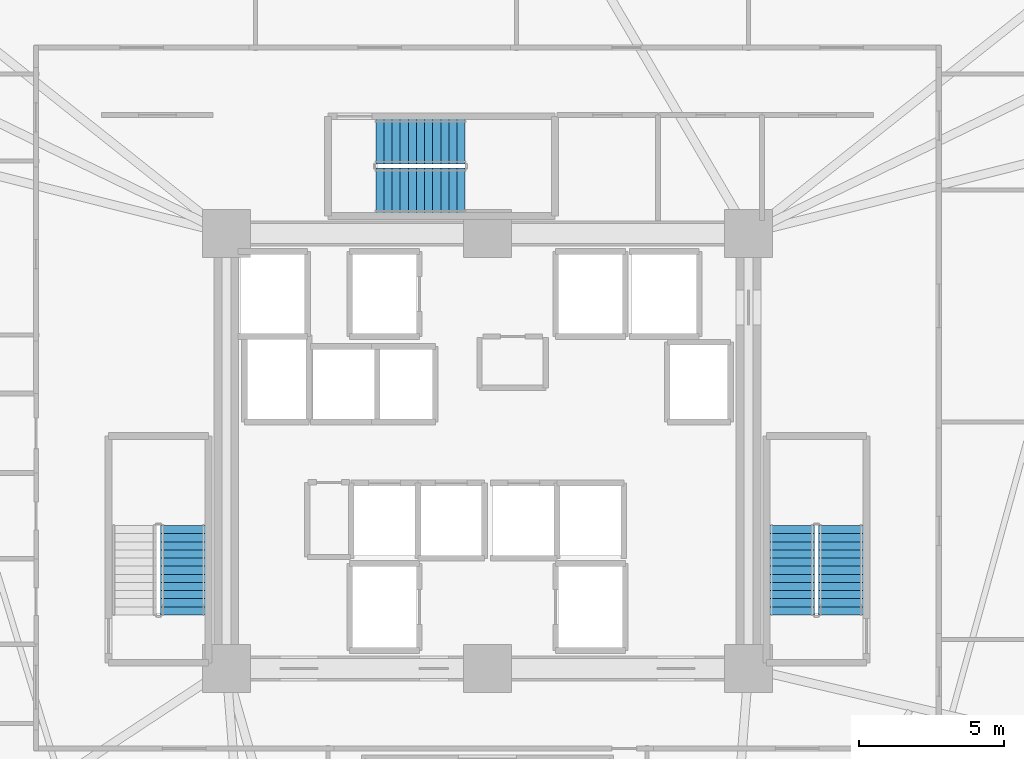
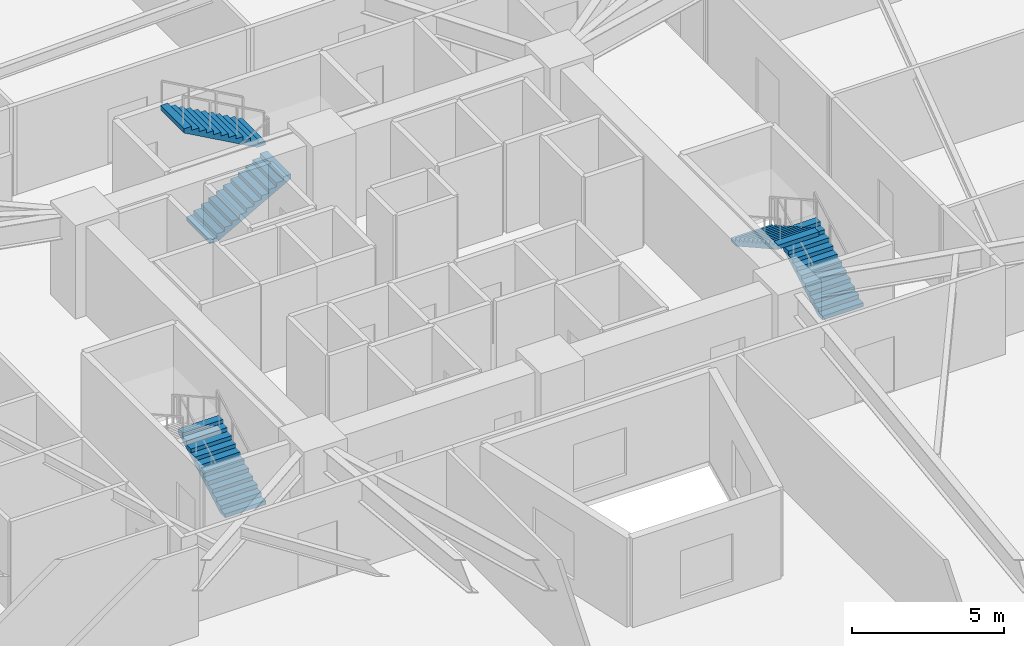
# One storey, part 8 of 9: 5 stair flights, 3 elements without a shape of their own.
"""IFC4 building model written with IfcOpenShell, lengths in metres."""

from ifc_helpers import new_model, si_unit, direction, frame, origin, place, context, subcontext, project, spatial, polyline, outline, extrude, material, type_object, element, aggregate, save


model = new_model("IFC4")

# Units and contexts
model_context = context("Model", 3, precision=1e-05, world=origin(), true_north=direction((0.0, 1.0)))
body_context = subcontext(model_context, "Body", "Model", "MODEL_VIEW")
ifc_project = project(units=[si_unit("LENGTHUNIT", "METRE"), si_unit("AREAUNIT", "SQUARE_METRE"), si_unit("VOLUMEUNIT", "CUBIC_METRE"), si_unit("PLANEANGLEUNIT", "RADIAN"), si_unit("MASSUNIT", "GRAM", prefix="KILO")], contexts=[model_context])

# Site, building, storey
site_placement = place(None, origin())
site = spatial("IfcSite", under=ifc_project, at=site_placement, CompositionType="ELEMENT")
building_placement = place(site_placement, origin())
building = spatial("IfcBuilding", under=site, at=building_placement, Name="Liaohun Quay Tower", CompositionType="ELEMENT")
storey_placement = place(building_placement, frame((0.0, 0.0, 55.5)))
storey = spatial("IfcBuildingStorey", under=building, at=storey_placement, Name="L14", CompositionType="ELEMENT", Elevation=55.5)

# Stair, stair flight
ifc_material = material(Name="Concrete C45", Category="concrete")
stair_type = type_object("IfcStairType", Name="STR-CORE-OFF", PredefinedType="HALF_TURN_STAIR", material=ifc_material)
stair_1_placement = place(storey_placement, origin())
stair_1 = element("IfcStair", 1, at=stair_1_placement, inside=storey, type_object=stair_type, Name="L14 Smokeproof Core Exit Stair ST-1", PredefinedType="HALF_TURN_STAIR")
stair_flight_type = type_object("IfcStairFlightType", Name="FLT-CORE-155", PredefinedType="STRAIGHT", material=ifc_material)
stair_flight_1_placement = place(storey_placement, frame((49.5048828125, 48.35009765625, 0.0), z_axis=(0.0, 0.0, 1.0), x_axis=(0.0, 1.0, 0.0)))
stair_flight_1 = element("IfcStairFlight", 2, at=stair_flight_1_placement, type_object=stair_flight_type, Name="ST-1 flight 1", NumberOfRisers=12, NumberOfTreads=11, PredefinedType="STRAIGHT", RiserHeight=0.15625, TreadLength=0.28, context=body_context, shape_type="SweptSolid", body=[
    extrude(outline(polyline([(0.0, 0.0), (0.0, 0.15625), (0.280029296875, 0.15625), (0.280029296875, 0.3125), (0.56005859375, 0.3125), (0.56005859375, 0.46875), (0.840087890625, 0.46875), (0.840087890625, 0.625), (1.1201171875, 0.625), (1.1201171875, 0.78125), (1.39990234375, 0.78125), (1.39990234375, 0.9375), (1.679931640625, 0.9375), (1.679931640625, 1.09375), (1.9599609375, 1.09375), (1.9599609375, 1.25), (2.239990234375, 1.25), (2.239990234375, 1.40625), (2.52001953125, 1.40625), (2.52001953125, 1.5625), (2.800048828125, 1.5625), (2.800048828125, 1.71875), (3.080078125, 1.71875), (3.080078125, 1.875), (3.080078125, 1.547119140625), (0.3076171875, 0.0), (0.0, 0.0)])), frame((0.0, 0.77490234375, 0.0), z_axis=(0.0, -1.0, 0.0), x_axis=(1.0, 0.0, 0.0)), (0.0, 0.0, 1.0), 1.550048828125),
])
aggregate(stair_1, [stair_flight_1])

# Stair, stair flights
stair_2_placement = place(storey_placement, origin())
stair_2 = element("IfcStair", 3, at=stair_2_placement, inside=storey, type_object=stair_type, Name="L14 Smokeproof Core Exit Stair ST-2", PredefinedType="HALF_TURN_STAIR")
stair_flight_2_placement = place(storey_placement, frame((72.18505859375, 48.35009765625, 0.0), z_axis=(0.0, 0.0, 1.0), x_axis=(0.0, 1.0, 0.0)))
stair_flight_2 = element("IfcStairFlight", 4, at=stair_flight_2_placement, type_object=stair_flight_type, Name="ST-2 flight 1", NumberOfRisers=12, NumberOfTreads=11, PredefinedType="STRAIGHT", RiserHeight=0.15625, TreadLength=0.28, context=body_context, shape_type="SweptSolid", body=[
    extrude(outline(polyline([(0.0, 0.0), (0.0, 0.15625), (0.280029296875, 0.15625), (0.280029296875, 0.3125), (0.56005859375, 0.3125), (0.56005859375, 0.46875), (0.840087890625, 0.46875), (0.840087890625, 0.625), (1.1201171875, 0.625), (1.1201171875, 0.78125), (1.39990234375, 0.78125), (1.39990234375, 0.9375), (1.679931640625, 0.9375), (1.679931640625, 1.09375), (1.9599609375, 1.09375), (1.9599609375, 1.25), (2.239990234375, 1.25), (2.239990234375, 1.40625), (2.52001953125, 1.40625), (2.52001953125, 1.5625), (2.800048828125, 1.5625), (2.800048828125, 1.71875), (3.080078125, 1.71875), (3.080078125, 1.875), (3.080078125, 1.547119140625), (0.3076171875, 0.0), (0.0, 0.0)])), frame((0.0, 0.77490234375, 0.0), z_axis=(0.0, -1.0, 0.0), x_axis=(1.0, 0.0, 0.0)), (0.0, 0.0, 1.0), 1.550048828125),
])
stair_flight_3_placement = place(storey_placement, frame((70.4951171875, 51.429931640625, 1.875), z_axis=(0.0, 0.0, 1.0), x_axis=(0.0, -1.0, 0.0)))
stair_flight_3 = element("IfcStairFlight", 5, at=stair_flight_3_placement, type_object=stair_flight_type, Name="ST-2 flight 2", NumberOfRisers=12, NumberOfTreads=11, PredefinedType="STRAIGHT", RiserHeight=0.15625, TreadLength=0.28, context=body_context, shape_type="SweptSolid", body=[
    extrude(outline(polyline([(0.0, 0.0), (0.0, 0.15625), (0.280029296875, 0.15625), (0.280029296875, 0.3125), (0.56005859375, 0.3125), (0.56005859375, 0.46875), (0.840087890625, 0.46875), (0.840087890625, 0.625), (1.1201171875, 0.625), (1.1201171875, 0.78125), (1.39990234375, 0.78125), (1.39990234375, 0.9375), (1.679931640625, 0.9375), (1.679931640625, 1.09375), (1.9599609375, 1.09375), (1.9599609375, 1.25), (2.239990234375, 1.25), (2.239990234375, 1.40625), (2.52001953125, 1.40625), (2.52001953125, 1.5625), (2.800048828125, 1.5625), (2.800048828125, 1.71875), (3.080078125, 1.71875), (3.080078125, 1.875), (3.080078125, 1.547119140625), (0.3076171875, 0.0), (0.0, 0.0)])), frame((0.0, 0.77490234375, 0.0), z_axis=(0.0, -1.0, 0.0), x_axis=(1.0, 0.0, 0.0)), (0.0, 0.0, 1.0), 1.550048828125),
])
aggregate(stair_2, [stair_flight_2, stair_flight_3])

stair_3_placement = place(storey_placement, origin())
stair_3 = element("IfcStair", 6, at=stair_3_placement, inside=storey, type_object=stair_type, Name="L14 Smokeproof Core Exit Stair ST-3", PredefinedType="HALF_TURN_STAIR")
stair_flight_4_placement = place(storey_placement, frame((56.14990234375, 62.97509765625, 0.0), z_axis=(0.0, 0.0, 1.0), x_axis=(1.0, 0.0, 0.0)))
stair_flight_4 = element("IfcStairFlight", 7, at=stair_flight_4_placement, type_object=stair_flight_type, Name="ST-3 flight 1", NumberOfRisers=12, NumberOfTreads=11, PredefinedType="STRAIGHT", RiserHeight=0.15625, TreadLength=0.28, context=body_context, shape_type="SweptSolid", body=[
    extrude(outline(polyline([(0.0, 0.0), (0.0, 0.15625), (0.280029296875, 0.15625), (0.280029296875, 0.3125), (0.56005859375, 0.3125), (0.56005859375, 0.46875), (0.840087890625, 0.46875), (0.840087890625, 0.625), (1.1201171875, 0.625), (1.1201171875, 0.78125), (1.39990234375, 0.78125), (1.39990234375, 0.9375), (1.679931640625, 0.9375), (1.679931640625, 1.09375), (1.9599609375, 1.09375), (1.9599609375, 1.25), (2.239990234375, 1.25), (2.239990234375, 1.40625), (2.52001953125, 1.40625), (2.52001953125, 1.5625), (2.800048828125, 1.5625), (2.800048828125, 1.71875), (3.080078125, 1.71875), (3.080078125, 1.875), (3.080078125, 1.547119140625), (0.3076171875, 0.0), (0.0, 0.0)])), frame((0.0, 0.77490234375, 0.0), z_axis=(0.0, -1.0, 0.0), x_axis=(1.0, 0.0, 0.0)), (0.0, 0.0, 1.0), 1.550048828125),
])
stair_flight_5_placement = place(storey_placement, frame((59.22998046875, 64.6650390625, 1.875), z_axis=(0.0, 0.0, 1.0), x_axis=(-1.0, 0.0, 0.0)))
stair_flight_5 = element("IfcStairFlight", 8, at=stair_flight_5_placement, type_object=stair_flight_type, Name="ST-3 flight 2", NumberOfRisers=12, NumberOfTreads=11, PredefinedType="STRAIGHT", RiserHeight=0.15625, TreadLength=0.28, context=body_context, shape_type="SweptSolid", body=[
    extrude(outline(polyline([(0.0, 0.0), (0.0, 0.15625), (0.280029296875, 0.15625), (0.280029296875, 0.3125), (0.56005859375, 0.3125), (0.56005859375, 0.46875), (0.840087890625, 0.46875), (0.840087890625, 0.625), (1.1201171875, 0.625), (1.1201171875, 0.78125), (1.39990234375, 0.78125), (1.39990234375, 0.9375), (1.679931640625, 0.9375), (1.679931640625, 1.09375), (1.9599609375, 1.09375), (1.9599609375, 1.25), (2.239990234375, 1.25), (2.239990234375, 1.40625), (2.52001953125, 1.40625), (2.52001953125, 1.5625), (2.800048828125, 1.5625), (2.800048828125, 1.71875), (3.080078125, 1.71875), (3.080078125, 1.875), (3.080078125, 1.547119140625), (0.3076171875, 0.0), (0.0, 0.0)])), frame((0.0, 0.77490234375, 0.0), z_axis=(0.0, -1.0, 0.0), x_axis=(1.0, 0.0, 0.0)), (0.0, 0.0, 1.0), 1.550048828125),
])
aggregate(stair_3, [stair_flight_4, stair_flight_5])

save(model, "model.ifc")
